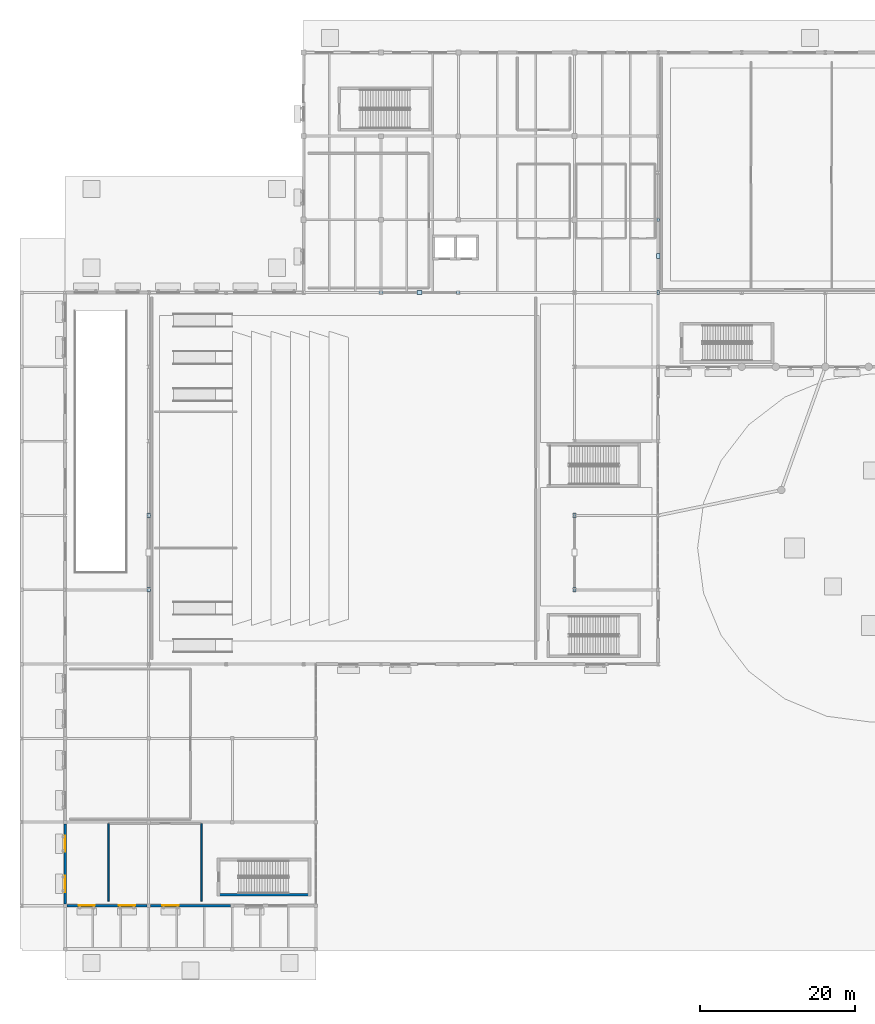
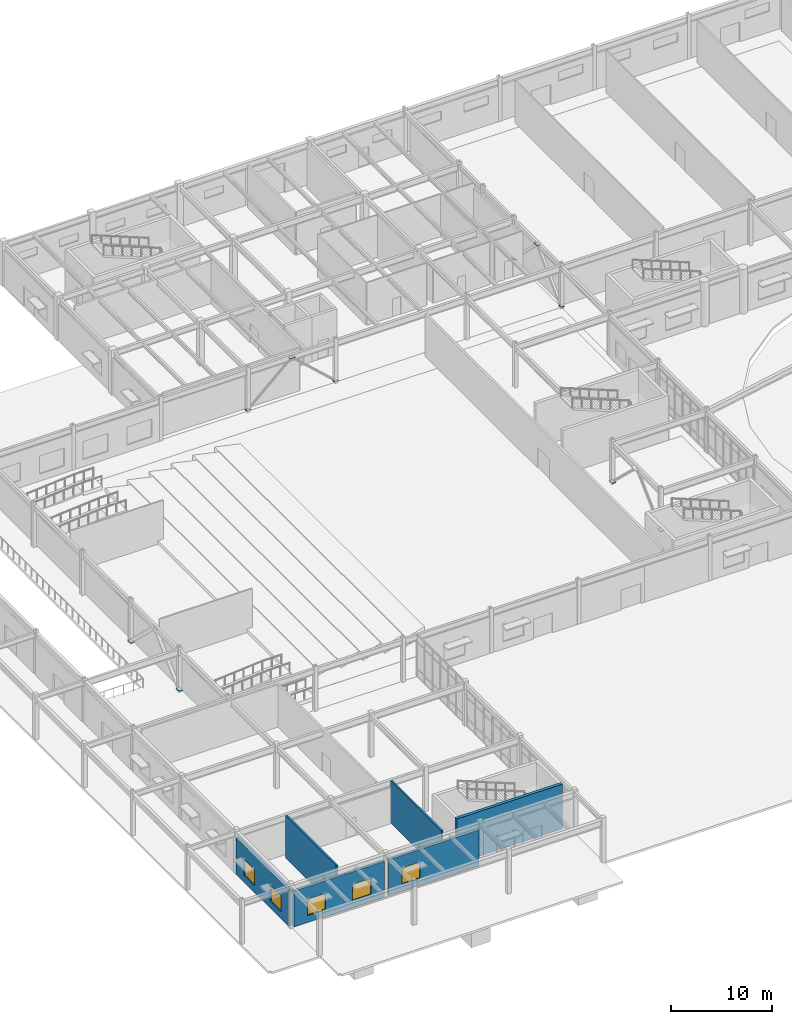
# One storey, part 28 of 54: 10 plates, 6 walls, 5 windows, 5 openings.
"""IFC4 building model written with IfcOpenShell, lengths in metres."""

from ifc_helpers import new_model, si_unit, direction, frame, frame_2d, origin, origin_2d, place, context, subcontext, project, spatial, rectangle, extrude, material, layer, layer_set, type_object, element, fill, save


model = new_model("IFC4")

# Units and contexts
model_context = context("Model", 3, precision=1e-05, world=origin(), true_north=direction((0.0, 1.0)))
body_context = subcontext(model_context, "Body", "Model", "MODEL_VIEW")
ifc_project = project(units=[si_unit("LENGTHUNIT", "METRE"), si_unit("AREAUNIT", "SQUARE_METRE"), si_unit("VOLUMEUNIT", "CUBIC_METRE"), si_unit("PLANEANGLEUNIT", "RADIAN"), si_unit("MASSUNIT", "GRAM", prefix="KILO")], contexts=[model_context])

# Site, building, storey
site_placement = place(None, origin())
site = spatial("IfcSite", under=ifc_project, at=site_placement, CompositionType="ELEMENT")
building_placement = place(site_placement, origin())
building = spatial("IfcBuilding", under=site, at=building_placement, Name="Veldera Park Congress Hotel", CompositionType="ELEMENT")
storey_placement = place(building_placement, origin())
storey = spatial("IfcBuildingStorey", under=building, at=storey_placement, Name="L00", CompositionType="ELEMENT", Elevation=0.0)

# Plates
ifc_material_1 = material(Name="Steel ASTM A572 Gr.50", Category="steel")
ifc_layer_1 = layer(ifc_material_1, 0.02197265625)
ifc_layer_set_1 = layer_set([ifc_layer_1], Name="Steel ASTM A572 Gr.50")
plate_type_1 = type_object("IfcPlateType", Name="PLT-CAP01", PredefinedType="SHEET", material=ifc_layer_set_1)
for number, where, z_axis, x_axis, name in (
    (1, (-1.60009765625, 27.0, 0.18896484375), (0.0, 0.0, 1.0), (0.0, 1.0, 0.0), "Brace Base Cap Plate 7A"),
    (2, (-1.60009765625, 36.39990234375, 0.18896484375), (0.0, 0.0, 1.0), (0.0, 1.0, 0.0), "Brace Base Cap Plate 7B"),
    (3, (-37.39990234375, 27.0, 0.18896484375), (0.0, 0.0, 1.0), (1.0, 0.0, 0.0), "Brace Base Cap Plate 8A"),
    (4, (-27.39990234375, 27.0, 0.18896484375), (0.0, 0.0, 1.0), (1.0, 0.0, 0.0), "Brace Base Cap Plate 8B"),
):
    element("IfcPlate", number, at=place(storey_placement, frame(where, z_axis=z_axis, x_axis=x_axis)), inside=storey, type_object=plate_type_1, Name=name, PredefinedType="SHEET", context=body_context, shape_type="SweptSolid", body=[
        extrude(rectangle(XDim=0.47998046875, YDim=0.340087890625, at=origin_2d()), origin(), (0.0, 0.0, 1.0), 0.02197265625),
    ])
ifc_layer_2 = layer(ifc_material_1, 0.0458984375)
ifc_layer_set_2 = layer_set([ifc_layer_2], Name="Steel ASTM A572 Gr.50")
plate_type_2 = type_object("IfcPlateType", Name="PLT-CAP03", PredefinedType="SHEET", material=ifc_layer_set_2)
for number, where, z_axis, x_axis, name in (
    (5, (-67.39990234375, -11.39990234375, 0.177001953125), (0.0, 0.0, 1.0), (0.0, 1.0, 0.0), "Brace Base Cap Plate 5A"),
    (6, (-67.39990234375, -1.800048828125, 0.177001953125), (0.0, 0.0, 1.0), (0.0, 1.0, 0.0), "Brace Base Cap Plate 5B"),
    (7, (-12.39990234375, -11.39990234375, 0.177001953125), (0.0, 0.0, 1.0), (0.0, 1.0, 0.0), "Brace Base Cap Plate 6A"),
    (8, (-12.39990234375, -1.800048828125, 0.177001953125), (0.0, 0.0, 1.0), (0.0, 1.0, 0.0), "Brace Base Cap Plate 6B"),
):
    element("IfcPlate", number, at=place(storey_placement, frame(where, z_axis=z_axis, x_axis=x_axis)), inside=storey, type_object=plate_type_2, Name=name, PredefinedType="SHEET", context=body_context, shape_type="SweptSolid", body=[
        extrude(rectangle(XDim=0.6201171875, YDim=0.43994140625, at=origin_2d()), origin(), (0.0, 0.0, 1.0), 0.0458984375),
    ])
ifc_layer_3 = layer(ifc_material_1, 0.030029296875)
ifc_layer_set_3 = layer_set([ifc_layer_3], Name="Steel ASTM A572 Gr.50")
plate_type_3 = type_object("IfcPlateType", Name="PLT-GUS02", PredefinedType="USERDEFINED", material=ifc_layer_set_3)
for number, where, z_axis, x_axis, name in (
    (9, (-1.60009765625, 31.699951171875, 4.79638671875), (0.0, 0.0, 1.0), (0.0, 1.0, 0.0), "Chevron Apex Gusset Plate 7"),
    (10, (-32.39990234375, 27.0, 4.75439453125), (0.0, 0.0, 1.0), (1.0, 0.0, 0.0), "Chevron Apex Gusset Plate 8"),
):
    element("IfcPlate", number, at=place(storey_placement, frame(where, z_axis=z_axis, x_axis=x_axis)), inside=storey, type_object=plate_type_3, Name=name, ObjectType="GUSSET PLATE", PredefinedType="USERDEFINED", context=body_context, shape_type="SweptSolid", body=[
        extrude(rectangle(XDim=0.639892578125, YDim=0.4599609375, at=origin_2d()), origin(), (0.0, 0.0, 1.0), 0.030029296875),
    ])

# Wall, openings, windows
ifc_material_2 = material(Name="Cross-laminated timber CLT V2M1.1", Category="wood")
ifc_layer_4 = layer(ifc_material_2, 0.320068359375)
ifc_layer_set_4 = layer_set([ifc_layer_4], Name="Cross-laminated timber CLT V2M1.1")
wall_type_1 = type_object("IfcWallType", Name="EW-CLT320", PredefinedType="STANDARD", material=ifc_layer_set_4)
wall_1_placement = place(storey_placement, frame((-78.199951171875, -41.623046875, 0.0), z_axis=(0.0, 0.0, 1.0), x_axis=(0.0, -1.0, 0.0)))
wall_1 = element("IfcWall", 11, at=wall_1_placement, inside=storey, type_object=wall_type_1, Name="L00 Exterior Wall EW3-L00-0040", PredefinedType="STANDARD", context=body_context, shape_type="SweptSolid", body=[
    extrude(rectangle(XDim=10.35400390625, YDim=0.320068359375, at=frame_2d((5.177001953125, 0.0))), origin(), (0.0, 0.0, 1.0), 4.4189453125),
])
opening_1_placement = place(wall_1_placement, frame((1.53857421875, 0.0, 0.85009765625)))
opening_1 = element("IfcOpeningElement", 12, at=opening_1_placement, cuts=wall_1, Name="Opening WIN-2100", PredefinedType="OPENING", context=body_context, shape_type="SweptSolid", body=[
    extrude(rectangle(XDim=2.10009765625, YDim=1.949951171875, at=frame_2d((1.050048828125, 0.97509765625))), frame((0.0, 0.172119140625, 0.0), z_axis=(0.0, -1.0, 0.0), x_axis=(1.0, 0.0, 0.0)), (0.0, 0.0, 1.0), 0.343994140625),
])
opening_2_placement = place(wall_1_placement, frame((6.715576171875, 0.0, 0.85009765625)))
opening_2 = element("IfcOpeningElement", 13, at=opening_2_placement, cuts=wall_1, Name="Opening WIN-2100", PredefinedType="OPENING", context=body_context, shape_type="SweptSolid", body=[
    extrude(rectangle(XDim=2.10009765625, YDim=1.949951171875, at=frame_2d((1.050048828125, 0.97509765625))), frame((0.0, 0.172119140625, 0.0), z_axis=(0.0, -1.0, 0.0), x_axis=(1.0, 0.0, 0.0)), (0.0, 0.0, 1.0), 0.343994140625),
])
ifc_material_3 = material(Name="Low-E Triple Insulating Glass Unit (SHGC 0.22)", Category="glass")
window_type = type_object("IfcWindowType", Name="WIN-2100", PartitioningType="DOUBLE_PANEL_VERTICAL", PredefinedType="WINDOW", material=ifc_material_3)
window_1_placement = place(opening_1_placement, origin())
window_1 = element("IfcWindow", 14, at=window_1_placement, inside=storey, type_object=window_type, Name="L00 Window WIN-2100 41", OverallHeight=1.949951171875, OverallWidth=2.10009765625, PartitioningType="DOUBLE_PANEL_VERTICAL", PredefinedType="WINDOW", context=body_context, shape_type="SweptSolid", body=[
    extrude(rectangle(XDim=2.10009765625, YDim=1.949951171875, at=frame_2d((1.050048828125, 0.97509765625))), frame((0.0, 0.030029296875, 0.0), z_axis=(0.0, -1.0, 0.0), x_axis=(1.0, 0.0, 0.0)), (0.0, 0.0, 1.0), 0.06005859375),
])
fill(opening_1, window_1)
window_2_placement = place(opening_2_placement, origin())
window_2 = element("IfcWindow", 15, at=window_2_placement, inside=storey, type_object=window_type, Name="L00 Window WIN-2100 42", OverallHeight=1.949951171875, OverallWidth=2.10009765625, PartitioningType="DOUBLE_PANEL_VERTICAL", PredefinedType="WINDOW", context=body_context, shape_type="SweptSolid", body=[
    extrude(rectangle(XDim=2.10009765625, YDim=1.949951171875, at=frame_2d((1.050048828125, 0.97509765625))), frame((0.0, 0.030029296875, 0.0), z_axis=(0.0, -1.0, 0.0), x_axis=(1.0, 0.0, 0.0)), (0.0, 0.0, 1.0), 0.06005859375),
])
fill(opening_2, window_2)

wall_2_placement = place(storey_placement, frame((-77.97705078125, -52.199951171875, 0.0), z_axis=(0.0, 0.0, 1.0), x_axis=(1.0, 0.0, 0.0)))
wall_2 = element("IfcWall", 16, at=wall_2_placement, inside=storey, type_object=wall_type_1, Name="L00 Exterior Wall EW3-L00-0041", PredefinedType="STANDARD", context=body_context, shape_type="SweptSolid", body=[
    extrude(rectangle(XDim=10.35400390625, YDim=0.320068359375, at=frame_2d((5.177001953125, 0.0))), origin(), (0.0, 0.0, 1.0), 4.3359375),
])
opening_3_placement = place(wall_2_placement, frame((1.53857421875, 0.0, 0.85009765625)))
opening_3 = element("IfcOpeningElement", 17, at=opening_3_placement, cuts=wall_2, Name="Opening WIN-2100", PredefinedType="OPENING", context=body_context, shape_type="SweptSolid", body=[
    extrude(rectangle(XDim=2.10009765625, YDim=1.949951171875, at=frame_2d((1.050048828125, 0.97509765625))), frame((0.0, 0.172119140625, 0.0), z_axis=(0.0, -1.0, 0.0), x_axis=(1.0, 0.0, 0.0)), (0.0, 0.0, 1.0), 0.343994140625),
])
opening_4_placement = place(wall_2_placement, frame((6.715576171875, 0.0, 0.85009765625)))
opening_4 = element("IfcOpeningElement", 18, at=opening_4_placement, cuts=wall_2, Name="Opening WIN-2100", PredefinedType="OPENING", context=body_context, shape_type="SweptSolid", body=[
    extrude(rectangle(XDim=2.10009765625, YDim=1.949951171875, at=frame_2d((1.050048828125, 0.97509765625))), frame((0.0, 0.172119140625, 0.0), z_axis=(0.0, -1.0, 0.0), x_axis=(1.0, 0.0, 0.0)), (0.0, 0.0, 1.0), 0.343994140625),
])
window_3_placement = place(opening_3_placement, origin())
window_3 = element("IfcWindow", 19, at=window_3_placement, inside=storey, type_object=window_type, Name="L00 Window WIN-2100 43", OverallHeight=1.949951171875, OverallWidth=2.10009765625, PartitioningType="DOUBLE_PANEL_VERTICAL", PredefinedType="WINDOW", context=body_context, shape_type="SweptSolid", body=[
    extrude(rectangle(XDim=2.10009765625, YDim=1.949951171875, at=frame_2d((1.050048828125, 0.97509765625))), frame((0.0, 0.030029296875, 0.0), z_axis=(0.0, -1.0, 0.0), x_axis=(1.0, 0.0, 0.0)), (0.0, 0.0, 1.0), 0.06005859375),
])
fill(opening_3, window_3)
window_4_placement = place(opening_4_placement, origin())
window_4 = element("IfcWindow", 20, at=window_4_placement, inside=storey, type_object=window_type, Name="L00 Window WIN-2100 44", OverallHeight=1.949951171875, OverallWidth=2.10009765625, PartitioningType="DOUBLE_PANEL_VERTICAL", PredefinedType="WINDOW", context=body_context, shape_type="SweptSolid", body=[
    extrude(rectangle(XDim=2.10009765625, YDim=1.949951171875, at=frame_2d((1.050048828125, 0.97509765625))), frame((0.0, 0.030029296875, 0.0), z_axis=(0.0, -1.0, 0.0), x_axis=(1.0, 0.0, 0.0)), (0.0, 0.0, 1.0), 0.06005859375),
])
fill(opening_4, window_4)

# Wall, opening, window
wall_3_placement = place(storey_placement, frame((-67.177001953125, -52.199951171875, 0.0), z_axis=(0.0, 0.0, 1.0), x_axis=(1.0, 0.0, 0.0)))
wall_3 = element("IfcWall", 21, at=wall_3_placement, inside=storey, type_object=wall_type_1, Name="L00 Exterior Wall EW3-L00-0042", PredefinedType="STANDARD", context=body_context, shape_type="SweptSolid", body=[
    extrude(rectangle(XDim=10.35400390625, YDim=0.320068359375, at=frame_2d((5.177001953125, 0.0))), origin(), (0.0, 0.0, 1.0), 4.3359375),
])
opening_5_placement = place(wall_3_placement, frame((1.53857421875, 0.0, 0.85009765625)))
opening_5 = element("IfcOpeningElement", 22, at=opening_5_placement, cuts=wall_3, Name="Opening WIN-2100", PredefinedType="OPENING", context=body_context, shape_type="SweptSolid", body=[
    extrude(rectangle(XDim=2.10009765625, YDim=1.949951171875, at=frame_2d((1.050048828125, 0.97509765625))), frame((0.0, 0.172119140625, 0.0), z_axis=(0.0, -1.0, 0.0), x_axis=(1.0, 0.0, 0.0)), (0.0, 0.0, 1.0), 0.343994140625),
])
window_5_placement = place(opening_5_placement, origin())
window_5 = element("IfcWindow", 23, at=window_5_placement, inside=storey, type_object=window_type, Name="L00 Window WIN-2100 45", OverallHeight=1.949951171875, OverallWidth=2.10009765625, PartitioningType="DOUBLE_PANEL_VERTICAL", PredefinedType="WINDOW", context=body_context, shape_type="SweptSolid", body=[
    extrude(rectangle(XDim=2.10009765625, YDim=1.949951171875, at=frame_2d((1.050048828125, 0.97509765625))), frame((0.0, 0.030029296875, 0.0), z_axis=(0.0, -1.0, 0.0), x_axis=(1.0, 0.0, 0.0)), (0.0, 0.0, 1.0), 0.06005859375),
])
fill(opening_5, window_5)

# Walls
ifc_material_4 = material(Name="Fire-Rated Gypsum Board on Cold-Formed Steel Studs", Category="steel")
ifc_layer_5 = layer(ifc_material_4, 0.195068359375)
ifc_layer_set_5 = layer_set([ifc_layer_5], Name="Fire-Rated Gypsum Board on Cold-Formed Steel Studs")
wall_type_2 = type_object("IfcWallType", Name="IW-CORR195", PredefinedType="PARTITIONING", material=ifc_layer_set_5)
for number, where, z_axis, x_axis, name in (
    (24, (-60.60009765625, -51.60009765625, 0.0), (0.0, 0.0, 1.0), (0.0, 1.0, 0.0), "L00 Partition Wall IW3-L00-00077"),
    (25, (-72.60009765625, -41.60009765625, 0.0), (0.0, 0.0, 1.0), (0.0, -1.0, 0.0), "L00 Partition Wall IW3-L00-00079"),
):
    element("IfcWall", number, at=place(storey_placement, frame(where, z_axis=z_axis, x_axis=x_axis)), inside=storey, type_object=wall_type_2, Name=name, PredefinedType="PARTITIONING", context=body_context, shape_type="SweptSolid", body=[
        extrude(rectangle(XDim=10.0, YDim=0.195068359375, at=frame_2d((5.0, 0.0))), origin(), (0.0, 0.0, 1.0), 5.1201171875),
    ])
ifc_material_5 = material(Name="Concrete f'c 40 MPa (5,800 psi)", Category="concrete")
ifc_layer_6 = layer(ifc_material_5, 0.35009765625)
ifc_layer_set_6 = layer_set([ifc_layer_6], Name="Concrete f'c 40 MPa (5,800 psi)")
wall_type_3 = type_object("IfcWallType", Name="SW-CORE350", PredefinedType="SHEAR", material=ifc_layer_set_6)
wall_4_placement = place(storey_placement, frame((-58.550048828125, -50.77490234375, 0.0), z_axis=(0.0, 0.0, 1.0), x_axis=(1.0, 0.0, 0.0)))
element("IfcWall", 26, at=wall_4_placement, inside=storey, type_object=wall_type_3, Name="Stair ST8 Core Wall L00-S", PredefinedType="SHEAR", context=body_context, shape_type="SweptSolid", body=[
    extrude(rectangle(XDim=12.10009765625, YDim=0.35009765625, at=frame_2d((6.050048828125, 0.0))), origin(), (0.0, 0.0, 1.0), 5.39990234375),
])

save(model, "model.ifc")
